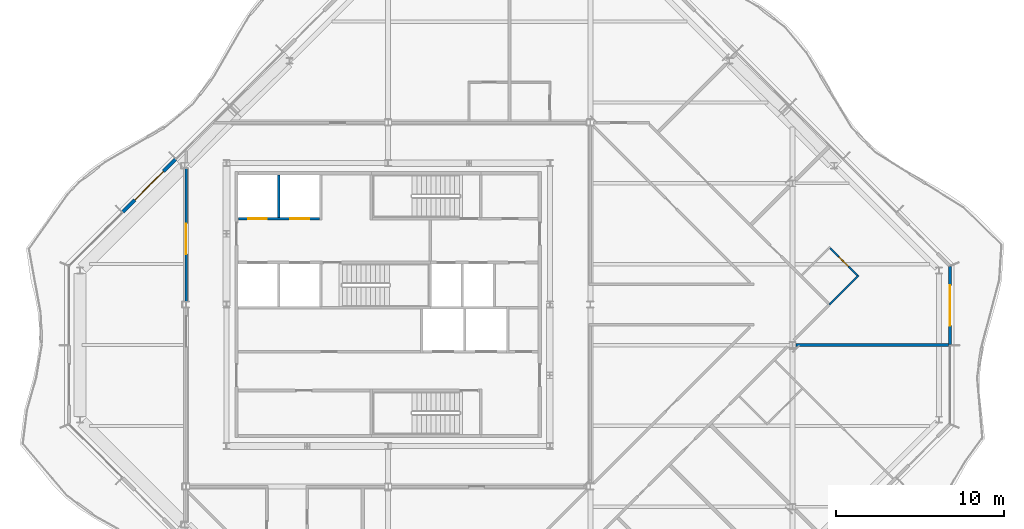
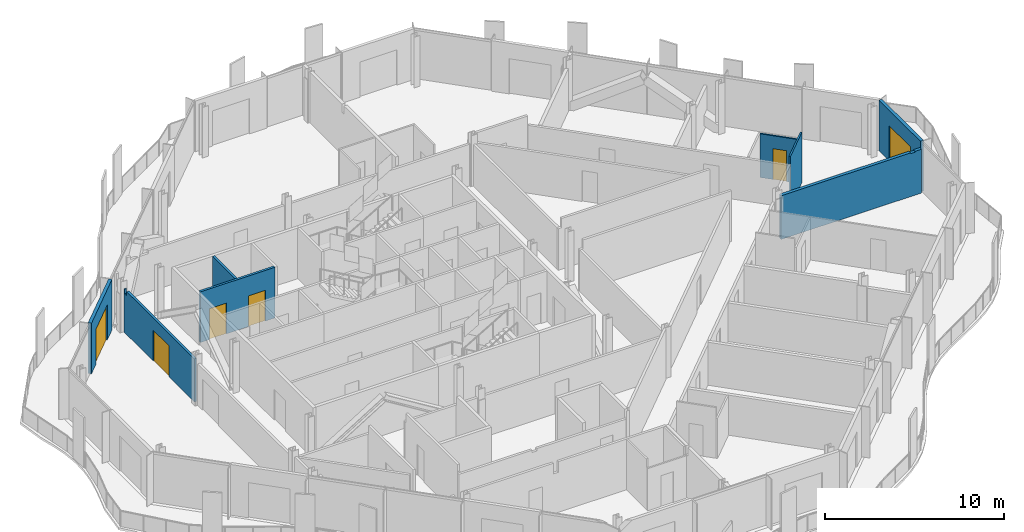
# One storey, part 10 of 17: 8 walls, 6 doors, 6 openings.
"""IFC4 building model written with IfcOpenShell, lengths in metres."""

from ifc_helpers import new_model, si_unit, direction, frame, frame_2d, origin, place, context, subcontext, project, spatial, polyline, rectangle, outline, extrude, material, layer, layer_set, type_object, element, fill, save


model = new_model("IFC4")

# Units and contexts
model_context = context("Model", 3, precision=1e-05, world=origin(), true_north=direction((0.0, 1.0)))
body_context = subcontext(model_context, "Body", "Model", "MODEL_VIEW")
ifc_project = project(units=[si_unit("LENGTHUNIT", "METRE"), si_unit("AREAUNIT", "SQUARE_METRE"), si_unit("VOLUMEUNIT", "CUBIC_METRE"), si_unit("PLANEANGLEUNIT", "RADIAN"), si_unit("MASSUNIT", "GRAM", prefix="KILO")], contexts=[model_context])

# Site, building, storey
site_placement = place(None, origin())
site = spatial("IfcSite", under=ifc_project, at=site_placement, CompositionType="ELEMENT")
building_placement = place(site_placement, origin())
building = spatial("IfcBuilding", under=site, at=building_placement, Name="Cairn Pilgrim Tower", CompositionType="ELEMENT")
storey_placement = place(building_placement, frame((0.0, 0.0, 281.39990234375)))
storey = spatial("IfcBuildingStorey", under=building, at=storey_placement, Name="L72", CompositionType="ELEMENT", Elevation=281.39990234375)

# Wall, opening, door
ifc_material_1 = material(Name="Bronze anodised aluminium insulated sandwich panel with mineral wool fill", Category="aluminium")
ifc_layer_1 = layer(ifc_material_1, 0.199951171875)
ifc_layer_set_1 = layer_set([ifc_layer_1], Name="BRONZE INFILL FRAME WALL 200")
wall_type_1 = type_object("IfcWallType", Name="BRONZE INFILL FRAME WALL 200", PredefinedType="NOTDEFINED", material=ifc_layer_set_1)
wall_1_placement = place(storey_placement, frame((40.550048828125, 0.030029296875, 0.0), z_axis=(0.0, 0.0, 1.0), x_axis=(0.0, 1.0, 0.0)))
wall_1 = element("IfcWall", 1, at=wall_1_placement, inside=storey, type_object=wall_type_1, Name="Bronze infill frame wall IW-E2", PredefinedType="NOTDEFINED", context=body_context, shape_type="SweptSolid", body=[
    extrude(rectangle(XDim=4.62646484375, YDim=0.199951171875, at=frame_2d((2.313232421875, 0.0))), origin(), (0.0, 0.0, 1.0), 3.4501953125),
])
opening_1_placement = place(wall_1_placement, frame((1.117919921875, 0.0, 0.0)))
opening_1 = element("IfcOpeningElement", 2, at=opening_1_placement, cuts=wall_1, Name="Opening 7207B2", PredefinedType="OPENING", context=body_context, shape_type="SweptSolid", body=[
    extrude(rectangle(XDim=2.39990234375, YDim=2.39990234375, at=frame_2d((1.199951171875, 1.199951171875))), frame((0.0, 0.10986328125, 0.0), z_axis=(0.0, -1.0, 0.0), x_axis=(1.0, 0.0, 0.0)), (0.0, 0.0, 1.0), 0.219970703125),
])
ifc_material_2 = material(Name="Bronze anodised aluminium frame with tinted low-E glass", Category="aluminium")
door_type_1 = type_object("IfcDoorType", Name="BALCONY SLIDING DOOR 2400x2400", OperationType="DOUBLE_DOOR_SLIDING", PredefinedType="DOOR", material=ifc_material_2)
door_1_placement = place(opening_1_placement, origin())
door_1 = element("IfcDoor", 3, at=door_1_placement, inside=storey, type_object=door_type_1, Name="Balcony sliding door 7207B2", OperationType="SINGLE_SWING_LEFT", OverallHeight=2.39990234375, OverallWidth=2.39990234375, PredefinedType="DOOR", context=body_context, shape_type="SweptSolid", body=[
    extrude(rectangle(XDim=2.39990234375, YDim=2.39990234375, at=frame_2d((1.199951171875, 1.199951171875))), frame((0.0, 0.02490234375, 0.0), z_axis=(0.0, -1.0, 0.0), x_axis=(1.0, 0.0, 0.0)), (0.0, 0.0, 1.0), 0.050048828125),
])
fill(opening_1, door_1)

wall_2_placement = place(storey_placement, frame((-5.419921875, 11.0263671875, 0.0), z_axis=(0.0, 0.0, 1.0), x_axis=(-0.707134329907, -0.707079231393, 0.0)))
wall_2 = element("IfcWall", 4, at=wall_2_placement, inside=storey, type_object=wall_type_1, Name="Bronze infill frame wall IW-NW5", PredefinedType="NOTDEFINED", context=body_context, shape_type="SweptSolid", body=[
    extrude(rectangle(XDim=4.430908203125, YDim=0.199951171875, at=frame_2d((2.21533203125, 0.0))), origin(), (0.0, 0.0, 1.0), 3.4501953125),
])
opening_2_placement = place(wall_2_placement, frame((1.01513671875, 0.0, 0.0)))
opening_2 = element("IfcOpeningElement", 5, at=opening_2_placement, cuts=wall_2, Name="Opening 7201B", PredefinedType="OPENING", context=body_context, shape_type="SweptSolid", body=[
    extrude(rectangle(XDim=2.39990234375, YDim=2.39990234375, at=frame_2d((1.199951171875, 1.199951171875))), frame((0.0, 0.10986328125, 0.0), z_axis=(0.0, -1.0, 0.0), x_axis=(1.0, 0.0, 0.0)), (0.0, 0.0, 1.0), 0.219970703125),
])
door_2_placement = place(opening_2_placement, origin())
door_2 = element("IfcDoor", 6, at=door_2_placement, inside=storey, type_object=door_type_1, Name="Balcony sliding door 7201B", OperationType="SINGLE_SWING_LEFT", OverallHeight=2.39990234375, OverallWidth=2.39990234375, PredefinedType="DOOR", context=body_context, shape_type="SweptSolid", body=[
    extrude(rectangle(XDim=2.39990234375, YDim=2.39990234375, at=frame_2d((1.199951171875, 1.199951171875))), frame((0.0, 0.02490234375, 0.0), z_axis=(0.0, -1.0, 0.0), x_axis=(1.0, 0.0, 0.0)), (0.0, 0.0, 1.0), 0.050048828125),
])
fill(opening_2, door_2)

# Wall, openings, doors
ifc_material_3 = material(Name="Concrete C32/40", Category="concrete")
ifc_layer_2 = layer(ifc_material_3, 0.14990234375)
ifc_layer_set_2 = layer_set([ifc_layer_2], Name="CORE SHAFT WALL 150 EI 120")
wall_type_2 = type_object("IfcWallType", Name="CORE SHAFT WALL 150 EI 120", PredefinedType="SOLIDWALL", material=ifc_layer_set_2)
wall_3_placement = place(storey_placement, frame((-1.699951171875, 7.5, 0.0), z_axis=(0.0, 0.0, 1.0), x_axis=(1.0, 0.0, 0.0)))
wall_3 = element("IfcWall", 7, at=wall_3_placement, inside=storey, type_object=wall_type_2, Name="CW:L72:H10", PredefinedType="SOLIDWALL", context=body_context, shape_type="SweptSolid", body=[
    extrude(rectangle(XDim=4.824951171875, YDim=0.14990234375, at=frame_2d((2.41259765625, 0.0))), origin(), (0.0, 0.0, 1.0), 3.4501953125),
])
opening_3_placement = place(wall_3_placement, frame((0.60009765625, 0.0, 0.0)))
opening_3 = element("IfcOpeningElement", 8, at=opening_3_placement, cuts=wall_3, Name="Opening LD-HR3", PredefinedType="OPENING", context=body_context, shape_type="SweptSolid", body=[
    extrude(rectangle(XDim=1.10009765625, YDim=2.10009765625, at=frame_2d((0.550048828125, 1.050048828125))), frame((0.0, 0.0849609375, 0.0), z_axis=(0.0, -1.0, 0.0), x_axis=(1.0, 0.0, 0.0)), (0.0, 0.0, 1.0), 0.169921875),
])
opening_4_placement = place(wall_3_placement, frame((3.10009765625, 0.0, 0.0)))
opening_4 = element("IfcOpeningElement", 9, at=opening_4_placement, cuts=wall_3, Name="Opening LD-HR4", PredefinedType="OPENING", context=body_context, shape_type="SweptSolid", body=[
    extrude(rectangle(XDim=1.10009765625, YDim=2.10009765625, at=frame_2d((0.550048828125, 1.050048828125))), frame((0.0, 0.0849609375, 0.0), z_axis=(0.0, -1.0, 0.0), x_axis=(1.0, 0.0, 0.0)), (0.0, 0.0, 1.0), 0.169921875),
])
ifc_material_4 = material(Name="Stainless steel", Category="steel")
door_type_2 = type_object("IfcDoorType", Name="LIFT LANDING DOOR 1100x2100", OperationType="DOUBLE_DOOR_SLIDING", PredefinedType="DOOR", material=ifc_material_4)
door_3_placement = place(opening_3_placement, origin())
door_3 = element("IfcDoor", 10, at=door_3_placement, inside=storey, type_object=door_type_2, Name="LANDING DOOR HR3", OperationType="DOUBLE_DOOR_SLIDING", OverallHeight=2.10009765625, OverallWidth=1.10009765625, PredefinedType="DOOR", context=body_context, shape_type="SweptSolid", body=[
    extrude(rectangle(XDim=1.10009765625, YDim=2.10009765625, at=frame_2d((0.550048828125, 1.050048828125))), frame((0.0, 0.02490234375, 0.0), z_axis=(0.0, -1.0, 0.0), x_axis=(1.0, 0.0, 0.0)), (0.0, 0.0, 1.0), 0.050048828125),
])
fill(opening_3, door_3)
door_4_placement = place(opening_4_placement, origin())
door_4 = element("IfcDoor", 11, at=door_4_placement, inside=storey, type_object=door_type_2, Name="LANDING DOOR HR4", OperationType="DOUBLE_DOOR_SLIDING", OverallHeight=2.10009765625, OverallWidth=1.10009765625, PredefinedType="DOOR", context=body_context, shape_type="SweptSolid", body=[
    extrude(rectangle(XDim=1.10009765625, YDim=2.10009765625, at=frame_2d((0.550048828125, 1.050048828125))), frame((0.0, 0.02490234375, 0.0), z_axis=(0.0, -1.0, 0.0), x_axis=(1.0, 0.0, 0.0)), (0.0, 0.0, 1.0), 0.050048828125),
])
fill(opening_4, door_4)

# Walls
wall_4_placement = place(storey_placement, frame((0.699951171875, 7.574951171875, 0.0), z_axis=(0.0, 0.0, 1.0), x_axis=(0.0, 1.0, 0.0)))
element("IfcWall", 12, at=wall_4_placement, inside=storey, type_object=wall_type_2, Name="CW:L72:V15", PredefinedType="SOLIDWALL", context=body_context, shape_type="SweptSolid", body=[
    extrude(rectangle(XDim=2.525146484375, YDim=0.14990234375, at=frame_2d((1.2626953125, 0.0))), origin(), (0.0, 0.0, 1.0), 3.4501953125),
])
ifc_material_5 = material(Name="Gypsum partition")
ifc_layer_3 = layer(ifc_material_5, 0.10009765625)
ifc_layer_set_3 = layer_set([ifc_layer_3], Name="PARTITION 100 DRYWALL")
wall_type_3 = type_object("IfcWallType", Name="PARTITION 100 DRYWALL", PredefinedType="PARTITIONING", material=ifc_layer_set_3)
wall_5_placement = place(storey_placement, frame((33.39404296875, 2.39990234375, 0.0), z_axis=(0.0, 0.0, 1.0), x_axis=(0.707056951598, 0.707156607264, 0.0)))
element("IfcWall", 13, at=wall_5_placement, inside=storey, type_object=wall_type_3, Name="PARTITION W041", PredefinedType="PARTITIONING", context=body_context, shape_type="SweptSolid", body=[
    extrude(rectangle(XDim=2.449951171875, YDim=0.10009765625, at=frame_2d((1.22509765625, 0.0))), origin(), (0.0, 0.0, 1.0), 3.4501953125),
])

# Wall, opening, door
wall_6_placement = place(storey_placement, frame((35.0556640625, 4.13232421875, 0.0), z_axis=(0.0, 0.0, 1.0), x_axis=(-0.707106781187, 0.707106781187, 0.0)))
wall_6 = element("IfcWall", 14, at=wall_6_placement, inside=storey, type_object=wall_type_3, Name="PARTITION W047", PredefinedType="PARTITIONING", context=body_context, shape_type="SweptSolid", body=[
    extrude(rectangle(XDim=2.2998046875, YDim=0.10009765625, at=frame_2d((1.14990234375, 0.0))), origin(), (0.0, 0.0, 1.0), 2.97998046875),
])
opening_5_placement = place(wall_6_placement, frame((0.75, 0.0, 0.0)))
opening_5 = element("IfcOpeningElement", 15, at=opening_5_placement, cuts=wall_6, Name="Opening 7207A", PredefinedType="OPENING", context=body_context, shape_type="SweptSolid", body=[
    extrude(rectangle(XDim=0.800048828125, YDim=2.10009765625, at=frame_2d((0.39990234375, 1.050048828125))), frame((0.0, 0.06005859375, 0.0), z_axis=(0.0, -1.0, 0.0), x_axis=(1.0, 0.0, 0.0)), (0.0, 0.0, 1.0), 0.1201171875),
])
ifc_material_6 = material(Name="Timber door leaf", Category="wood")
door_type_3 = type_object("IfcDoorType", Name="WC DOOR 800x2100", OperationType="NOTDEFINED", PredefinedType="DOOR", material=ifc_material_6)
door_5_placement = place(opening_5_placement, frame((0.800048828125, 0.0, 0.0), z_axis=(0.0, 0.0, 1.0), x_axis=(-1.0, 0.0, 0.0)))
door_5 = element("IfcDoor", 16, at=door_5_placement, inside=storey, type_object=door_type_3, Name="DOOR 7207A", OperationType="SINGLE_SWING_LEFT", OverallHeight=2.10009765625, OverallWidth=0.800048828125, PredefinedType="DOOR", context=body_context, shape_type="SweptSolid", body=[
    extrude(rectangle(XDim=0.800048828125, YDim=2.10009765625, at=frame_2d((0.39990234375, 1.050048828125))), frame((0.0, 0.02490234375, 0.0), z_axis=(0.0, -1.0, 0.0), x_axis=(1.0, 0.0, 0.0)), (0.0, 0.0, 1.0), 0.050048828125),
])
fill(opening_5, door_5)

ifc_layer_4 = layer(ifc_material_5, 0.14990234375)
ifc_layer_set_4 = layer_set([ifc_layer_4], Name="PARTITION 150 DRYWALL EI 60")
wall_type_4 = type_object("IfcWallType", Name="PARTITION 150 DRYWALL EI 60", PredefinedType="PARTITIONING", material=ifc_layer_set_4)
wall_7_placement = place(storey_placement, frame((-4.800048828125, 2.58740234375, 0.0), z_axis=(0.0, 0.0, 1.0), x_axis=(0.0, 1.0, 0.0)))
wall_7 = element("IfcWall", 17, at=wall_7_placement, inside=storey, type_object=wall_type_4, Name="PARTITION W043", PredefinedType="PARTITIONING", context=body_context, shape_type="SweptSolid", body=[
    extrude(outline(polyline([(0.0, 0.0), (7.880126953125, 0.0), (7.8798828125, 2.93017578125), (7.814453125, 2.93017578125), (7.8125, 2.630126953125), (7.56982421875, 2.630126953125), (7.56787109375, 2.93017578125), (0.0, 2.93017578125), (0.0, 0.0)])), frame((0.0, 0.074951171875, 0.0), z_axis=(0.0, -1.0, 0.0), x_axis=(1.0, 0.0, 0.0)), (0.0, 0.0, 1.0), 0.14990234375),
])
opening_6_placement = place(wall_7_placement, frame((2.8125, 0.0, 0.0)))
opening_6 = element("IfcOpeningElement", 18, at=opening_6_placement, cuts=wall_7, Name="Opening 7201A", PredefinedType="OPENING", context=body_context, shape_type="SweptSolid", body=[
    extrude(rectangle(XDim=1.800048828125, YDim=2.10009765625, at=frame_2d((0.89990234375, 1.050048828125))), frame((0.0, 0.0849609375, 0.0), z_axis=(0.0, -1.0, 0.0), x_axis=(1.0, 0.0, 0.0)), (0.0, 0.0, 1.0), 0.169921875),
])
door_type_4 = type_object("IfcDoorType", Name="DOOR PAIR 1800x2100 FD60S", OperationType="NOTDEFINED", PredefinedType="DOOR", material=ifc_material_6)
door_6_placement = place(opening_6_placement, origin())
door_6 = element("IfcDoor", 19, at=door_6_placement, inside=storey, type_object=door_type_4, Name="DOOR 7201A", OperationType="DOUBLE_DOOR_SINGLE_SWING", OverallHeight=2.10009765625, OverallWidth=1.800048828125, PredefinedType="DOOR", context=body_context, shape_type="SweptSolid", body=[
    extrude(rectangle(XDim=1.800048828125, YDim=2.10009765625, at=frame_2d((0.89990234375, 1.050048828125))), frame((0.0, 0.02490234375, 0.0), z_axis=(0.0, -1.0, 0.0), x_axis=(1.0, 0.0, 0.0)), (0.0, 0.0, 1.0), 0.050048828125),
])
fill(opening_6, door_6)

# Wall
ifc_layer_5 = layer(ifc_material_5, 0.199951171875)
ifc_layer_set_5 = layer_set([ifc_layer_5], Name="SHAFT WALL 200 GYPSUM EI 60")
wall_type_5 = type_object("IfcWallType", Name="SHAFT WALL 200 GYPSUM EI 60", PredefinedType="PARTITIONING", material=ifc_layer_set_5)
wall_8_placement = place(storey_placement, frame((31.39697265625, 0.0, 0.0), z_axis=(0.0, 0.0, 1.0), x_axis=(1.0, 0.0, 0.0)))
element("IfcWall", 20, at=wall_8_placement, inside=storey, type_object=wall_type_5, Name="PARTITION W038", PredefinedType="PARTITIONING", context=body_context, shape_type="SweptSolid", body=[
    extrude(outline(polyline([(0.0, 0.0), (9.052978515625, 0.0), (9.052978515625, 2.97998046875), (8.653076171875, 2.97998046875), (8.65087890625, 2.93017578125), (8.35302734375, 2.93017578125), (8.35107421875, 2.97998046875), (0.0, 2.97998046875), (0.0, 0.0)])), frame((0.0, 0.10009765625, 0.0), z_axis=(0.0, -1.0, 0.0), x_axis=(1.0, 0.0, 0.0)), (0.0, 0.0, 1.0), 0.199951171875),
])

save(model, "model.ifc")
